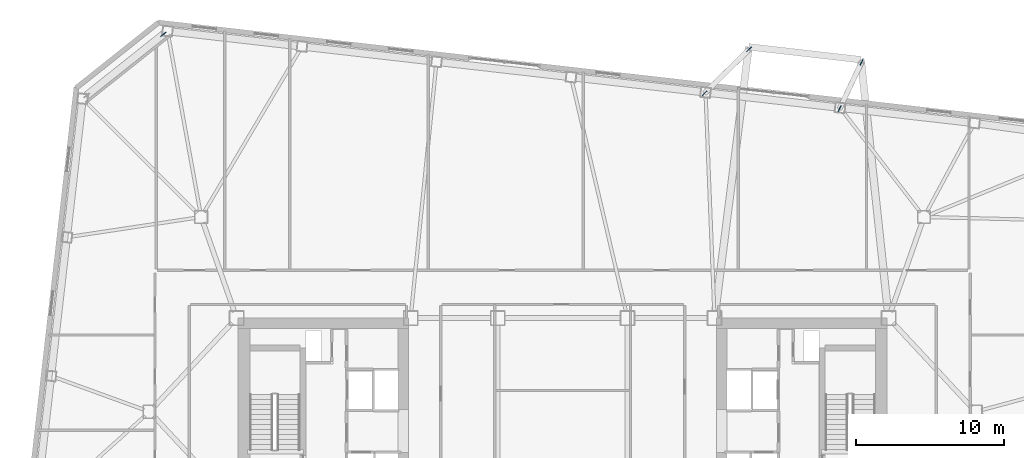
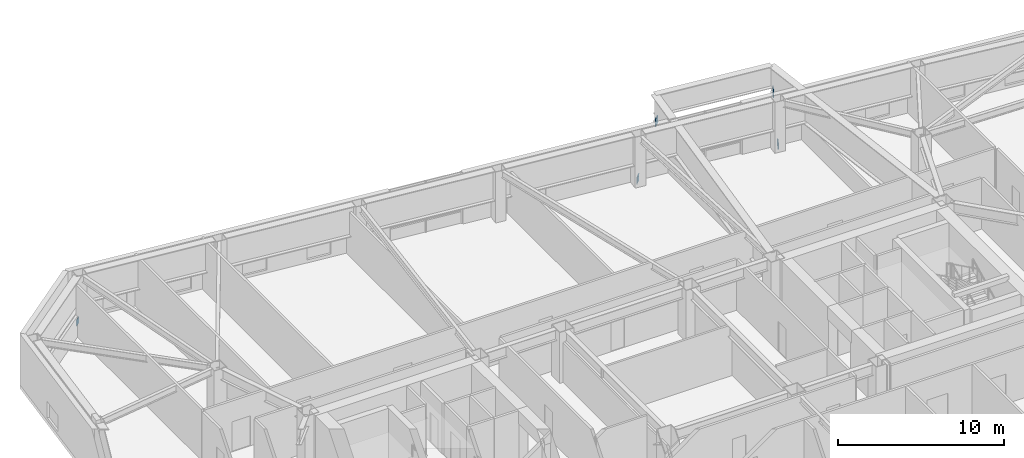
# One storey, part 17 of 21: 5 discrete accessories.
"""IFC4 building model written with IfcOpenShell, lengths in metres."""

from ifc_helpers import new_model, si_unit, direction, frame, origin, origin_2d, place, context, subcontext, project, spatial, rectangle, extrude, material, type_object, element, save


model = new_model("IFC4")

# Units and contexts
model_context = context("Model", 3, precision=1e-05, world=origin(), true_north=direction((0.0, 1.0)))
body_context = subcontext(model_context, "Body", "Model", "MODEL_VIEW")
ifc_project = project(units=[si_unit("LENGTHUNIT", "METRE"), si_unit("AREAUNIT", "SQUARE_METRE"), si_unit("VOLUMEUNIT", "CUBIC_METRE"), si_unit("PLANEANGLEUNIT", "RADIAN"), si_unit("MASSUNIT", "GRAM", prefix="KILO")], contexts=[model_context])

# Site, building, storey
site_placement = place(None, origin())
site = spatial("IfcSite", under=ifc_project, at=site_placement, CompositionType="ELEMENT")
building_placement = place(site_placement, origin())
building = spatial("IfcBuilding", under=site, at=building_placement, Name="Tavrogorsk Clinical Tower", CompositionType="ELEMENT")
storey_placement = place(building_placement, frame((0.0, 0.0, 109.39990234375)))
storey = spatial("IfcBuildingStorey", under=building, at=storey_placement, Name="L24", CompositionType="ELEMENT", Elevation=109.39990234375)

# Discrete accessories
ifc_material = material(Name="Structural steel S440", Category="steel")
discrete_accessory_type = type_object("IfcDiscreteAccessoryType", Name="GussetPlateBracket_25", PredefinedType="BRACKET", material=ifc_material)
for number, where, z_axis, x_axis, name in (
    (1, (-27.0595703125, 25.5810546875, 0.127197265625), (0.0, 0.0, 1.0), (-0.782608156852, -0.622514636638, 0.0), "L24 Brace Gusset Plate EXOCRN-L24-3-A"),
    (2, (9.635498046875, 21.592041015625, 0.195068359375), (0.0, 0.0, 1.0), (0.711413030818, 0.702774145499, 0.0), "L24 Brace Gusset Plate DRB-04-STRUT-L-L25-A"),
):
    element("IfcDiscreteAccessory", number, at=place(storey_placement, frame(where, z_axis=z_axis, x_axis=x_axis)), inside=storey, type_object=discrete_accessory_type, Name=name, PredefinedType="BRACKET", context=body_context, shape_type="SweptSolid", body=[
        extrude(rectangle(XDim=0.4599609375, YDim=0.0400390625, at=origin_2d()), origin(), (0.0, 0.0, 1.0), 0.4599609375),
    ])
discrete_accessory_1_placement = place(storey_placement, frame((12.648681640625, 24.568603515625, 1.534912109375), z_axis=(0.0, 0.0, 1.0), x_axis=(0.711413030818, 0.702774145499, 0.0)))
element("IfcDiscreteAccessory", 3, at=discrete_accessory_1_placement, inside=storey, type_object=discrete_accessory_type, Name="L24 Brace Gusset Plate DRB-04-STRUT-L-L25-B", PredefinedType="BRACKET", context=body_context, shape_type="SweptSolid", body=[
    extrude(rectangle(XDim=0.4599609375, YDim=0.0400390625, at=origin_2d()), origin(), (0.0, 0.0, 1.0), 0.56005859375),
])
discrete_accessory_2_placement = place(storey_placement, frame((18.77587890625, 20.53955078125, 0.1904296875), z_axis=(0.0, 0.0, 1.0), x_axis=(0.4278311813, 0.903858661687, 0.0)))
element("IfcDiscreteAccessory", 4, at=discrete_accessory_2_placement, inside=storey, type_object=discrete_accessory_type, Name="L24 Brace Gusset Plate DRB-04-STRUT-R-L25-A", PredefinedType="BRACKET", context=body_context, shape_type="SweptSolid", body=[
    extrude(rectangle(XDim=0.4599609375, YDim=0.0400390625, at=origin_2d()), origin(), (0.0, 0.0, 1.0), 0.4599609375),
])
discrete_accessory_3_placement = place(storey_placement, frame((20.27685546875, 23.710693359375, 1.539794921875), z_axis=(0.0, 0.0, 1.0), x_axis=(0.4278311813, 0.903858661687, 0.0)))
element("IfcDiscreteAccessory", 5, at=discrete_accessory_3_placement, inside=storey, type_object=discrete_accessory_type, Name="L24 Brace Gusset Plate DRB-04-STRUT-R-L25-B", PredefinedType="BRACKET", context=body_context, shape_type="SweptSolid", body=[
    extrude(rectangle(XDim=0.4599609375, YDim=0.0400390625, at=origin_2d()), origin(), (0.0, 0.0, 1.0), 0.56005859375),
])

save(model, "model.ifc")
